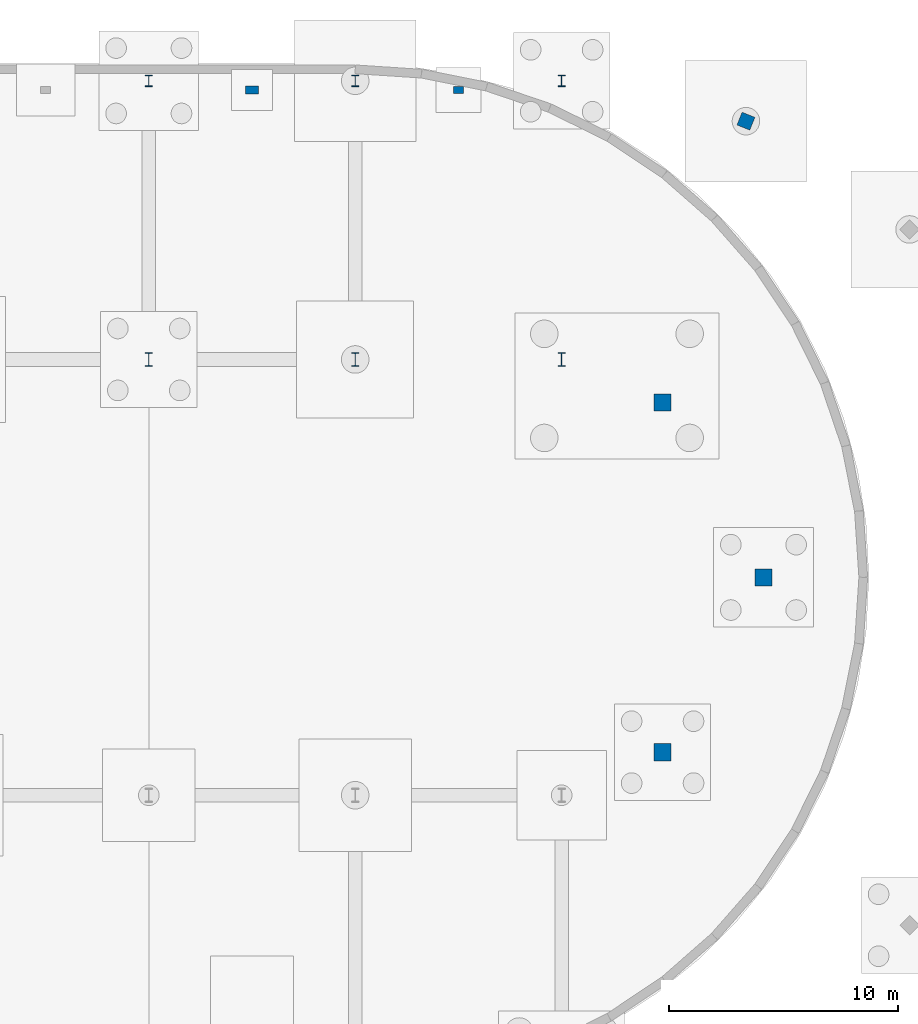
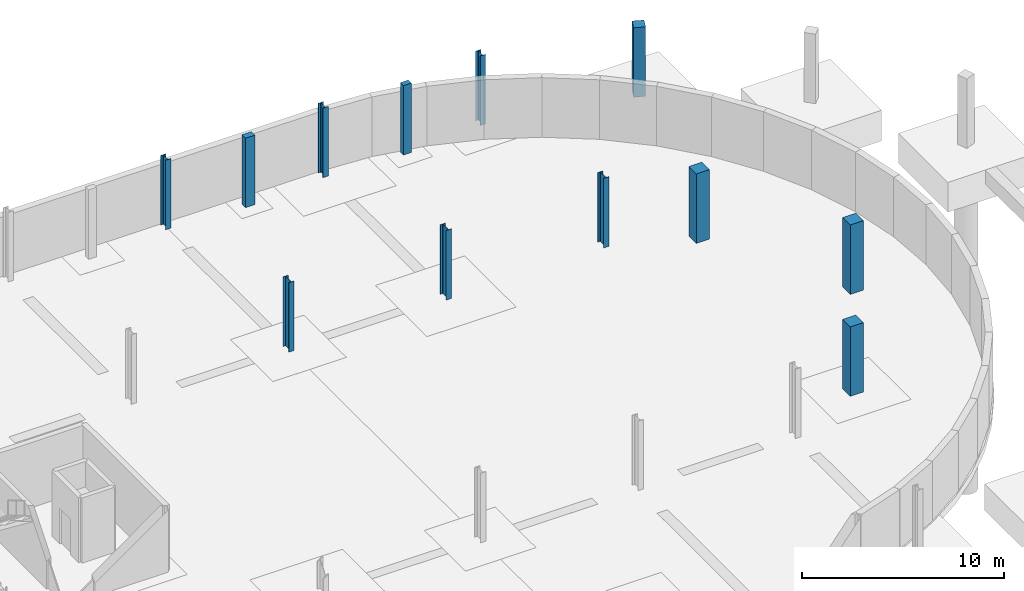
# One storey, part 23 of 42: 12 columns.
"""IFC4 building model written with IfcOpenShell, lengths in metres."""

from ifc_helpers import new_model, si_unit, direction, frame, origin, origin_2d, place, context, subcontext, project, spatial, rectangle, i_section, extrude, material, material_profile, profile_set, type_object, element, save


model = new_model("IFC4")

# Units and contexts
model_context = context("Model", 3, precision=1e-05, world=origin(), true_north=direction((0.0, 1.0)))
body_context = subcontext(model_context, "Body", "Model", "MODEL_VIEW")
ifc_project = project(units=[si_unit("LENGTHUNIT", "METRE"), si_unit("AREAUNIT", "SQUARE_METRE"), si_unit("VOLUMEUNIT", "CUBIC_METRE"), si_unit("PLANEANGLEUNIT", "RADIAN"), si_unit("MASSUNIT", "GRAM", prefix="KILO")], contexts=[model_context])

# Site, building, storey
site_placement = place(None, origin())
site = spatial("IfcSite", under=ifc_project, at=site_placement, CompositionType="ELEMENT")
building_placement = place(site_placement, origin())
building = spatial("IfcBuilding", under=site, at=building_placement, Name="Deido Ridge Mobility Hub", CompositionType="ELEMENT")
storey_placement = place(building_placement, frame((0.0, 0.0, -4.199951171875)))
storey = spatial("IfcBuildingStorey", under=building, at=storey_placement, Name="B1", CompositionType="ELEMENT", Elevation=-4.199951171875)

# Columns
ifc_material_1 = material(Name="Steel S355J2 EN 10025-2", Category="steel")
ifc_material_profile_1 = material_profile(ifc_material_1, i_section(OverallWidth=0.300048828125, OverallDepth=0.5, WebThickness=0.014404296875, FlangeThickness=0.028076171875, FilletRadius=0.027099609375, at=origin_2d()), Name="HEB 500")
ifc_profile_set_1 = profile_set([ifc_material_profile_1], Name="Steel S355J2 EN 10025-2")
column_type_1 = type_object("IfcColumnType", Name="COL-HEB500", PredefinedType="COLUMN", material=ifc_profile_set_1)
for number, where, z_axis, x_axis, name in (
    (1, (99.0, 125.14990234375, 0.0), (0.0, 0.0, 1.0), (1.0, 0.0, 0.0), "Structural column C5"),
    (2, (108.0, 125.14990234375, 0.0), (0.0, 0.0, 1.0), (1.0, 0.0, 0.0), "Structural column C5"),
    (3, (117.0, 125.14990234375, 0.0), (0.0, 0.0, 1.0), (1.0, 0.0, 0.0), "Structural column C5"),
):
    element("IfcColumn", number, at=place(storey_placement, frame(where, z_axis=z_axis, x_axis=x_axis)), inside=storey, type_object=column_type_1, Name=name, PredefinedType="COLUMN", context=body_context, shape_type="SweptSolid", body=[
        extrude(i_section(OverallWidth=0.300048828125, OverallDepth=0.5, WebThickness=0.014404296875, FlangeThickness=0.028076171875, FilletRadius=0.027099609375, at=origin_2d()), origin(), (0.0, 0.0, 1.0), 4.199951171875),
    ])
ifc_material_profile_2 = material_profile(ifc_material_1, i_section(OverallWidth=0.300048828125, OverallDepth=0.60009765625, WebThickness=0.015380859375, FlangeThickness=0.030029296875, FilletRadius=0.027099609375, at=origin_2d()), Name="HEB 600")
ifc_profile_set_2 = profile_set([ifc_material_profile_2], Name="Steel S355J2 EN 10025-2")
column_type_2 = type_object("IfcColumnType", Name="COL-HEB600", PredefinedType="COLUMN", material=ifc_profile_set_2)
for number, where, z_axis, x_axis, name in (
    (4, (99.0, 113.0, 0.0), (0.0, 0.0, 1.0), (1.0, 0.0, 0.0), "Structural column C4"),
    (5, (108.0, 113.0, 0.0), (0.0, 0.0, 1.0), (1.0, 0.0, 0.0), "Structural column C4"),
    (6, (117.0, 113.0, 0.0), (0.0, 0.0, 1.0), (1.0, 0.0, 0.0), "Structural column C4"),
):
    element("IfcColumn", number, at=place(storey_placement, frame(where, z_axis=z_axis, x_axis=x_axis)), inside=storey, type_object=column_type_2, Name=name, PredefinedType="COLUMN", context=body_context, shape_type="SweptSolid", body=[
        extrude(i_section(OverallWidth=0.300048828125, OverallDepth=0.60009765625, WebThickness=0.015380859375, FlangeThickness=0.030029296875, FilletRadius=0.027099609375, at=origin_2d()), origin(), (0.0, 0.0, 1.0), 4.199951171875),
    ])
ifc_material_2 = material(Name="Concrete C40/50", Category="concrete")
ifc_material_profile_3 = material_profile(ifc_material_2, rectangle(XDim=0.60009765625, YDim=0.60009765625, at=origin_2d()), Name="RC COL 600x600")
ifc_profile_set_3 = profile_set([ifc_material_profile_3], Name="Concrete C40/50")
column_type_3 = type_object("IfcColumnType", Name="COL-RC600", PredefinedType="COLUMN", material=ifc_profile_set_3)
column_1_placement = place(storey_placement, frame((125.035400390625, 123.38818359375, 0.0), z_axis=(0.0, 0.0, 1.0), x_axis=(0.374606593416, 0.927183854567, 0.0)))
element("IfcColumn", 7, at=column_1_placement, inside=storey, type_object=column_type_3, Name="Structural column RC2", PredefinedType="COLUMN", context=body_context, shape_type="SweptSolid", body=[
    extrude(rectangle(XDim=0.60009765625, YDim=0.60009765625, at=origin_2d()), origin(), (0.0, 0.0, 1.0), 4.199951171875),
])
ifc_material_profile_4 = material_profile(ifc_material_2, rectangle(XDim=0.75, YDim=0.75, at=origin_2d()), Name="RC COL 750x750")
ifc_profile_set_4 = profile_set([ifc_material_profile_4], Name="Concrete C40/50")
column_type_4 = type_object("IfcColumnType", Name="COL-RC750", PredefinedType="COLUMN", material=ifc_profile_set_4)
for number, where, z_axis, x_axis, name in (
    (8, (121.39990234375, 95.87890625, 0.0), (0.0, 0.0, 1.0), (1.0, 0.0, 0.0), "Structural column RC1"),
    (9, (125.800048828125, 103.5, 0.0), (0.0, 0.0, 1.0), (1.0, 0.0, 0.0), "Structural column RC1"),
    (10, (121.39990234375, 111.12109375, 0.0), (0.0, 0.0, 1.0), (1.0, 0.0, 0.0), "Structural column RC1"),
):
    element("IfcColumn", number, at=place(storey_placement, frame(where, z_axis=z_axis, x_axis=x_axis)), inside=storey, type_object=column_type_4, Name=name, PredefinedType="COLUMN", context=body_context, shape_type="SweptSolid", body=[
        extrude(rectangle(XDim=0.75, YDim=0.75, at=origin_2d()), origin(), (0.0, 0.0, 1.0), 4.199951171875),
    ])
ifc_material_profile_5 = material_profile(ifc_material_2, rectangle(XDim=0.449951171875, YDim=0.300048828125, at=origin_2d()), Name="RC PILASTER 450x300")
ifc_profile_set_5 = profile_set([ifc_material_profile_5], Name="Concrete C40/50")
column_type_5 = type_object("IfcColumnType", Name="PIL-RC450", PredefinedType="PILASTER", material=ifc_profile_set_5)
column_2_placement = place(storey_placement, frame((112.5, 124.75, 0.0), z_axis=(0.0, 0.0, 1.0), x_axis=(1.0, 0.0, 0.0)))
element("IfcColumn", 11, at=column_2_placement, inside=storey, type_object=column_type_5, Name="Structural column PL2", PredefinedType="PILASTER", context=body_context, shape_type="SweptSolid", body=[
    extrude(rectangle(XDim=0.449951171875, YDim=0.300048828125, at=origin_2d()), origin(), (0.0, 0.0, 1.0), 4.199951171875),
])
ifc_material_profile_6 = material_profile(ifc_material_2, rectangle(XDim=0.550048828125, YDim=0.35009765625, at=origin_2d()), Name="RC PILASTER 550x350")
ifc_profile_set_6 = profile_set([ifc_material_profile_6], Name="Concrete C40/50")
column_type_6 = type_object("IfcColumnType", Name="PIL-RC550", PredefinedType="PILASTER", material=ifc_profile_set_6)
column_3_placement = place(storey_placement, frame((103.5, 124.75, 0.0), z_axis=(0.0, 0.0, 1.0), x_axis=(1.0, 0.0, 0.0)))
element("IfcColumn", 12, at=column_3_placement, inside=storey, type_object=column_type_6, Name="Structural column PL1", PredefinedType="PILASTER", context=body_context, shape_type="SweptSolid", body=[
    extrude(rectangle(XDim=0.550048828125, YDim=0.35009765625, at=origin_2d()), origin(), (0.0, 0.0, 1.0), 4.199951171875),
])

save(model, "model.ifc")
